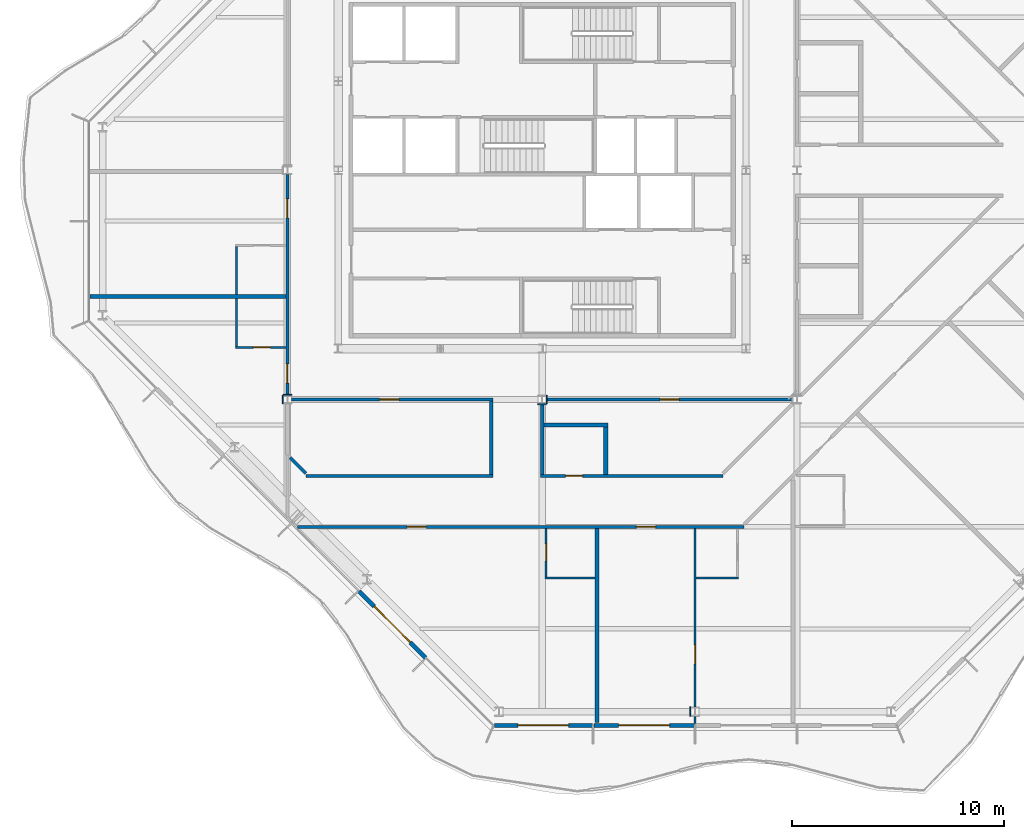
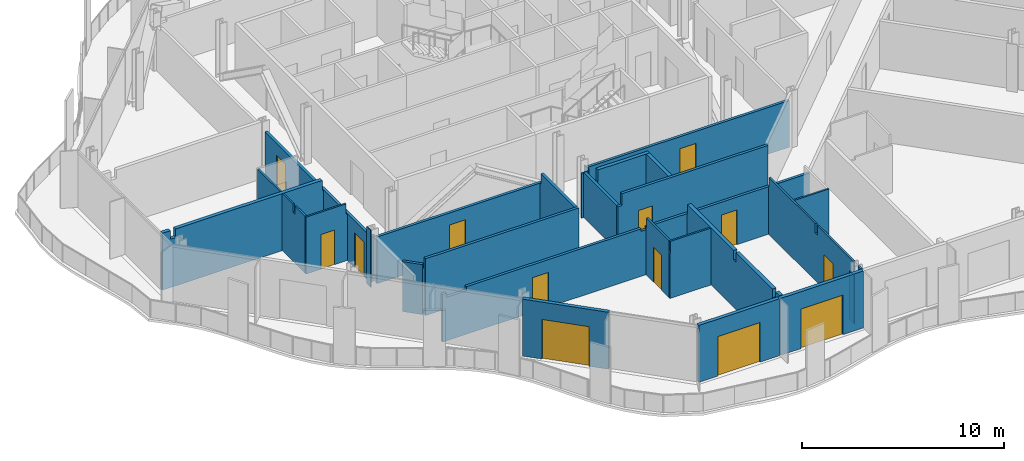
# One storey, part 7 of 17: 29 walls, 13 doors, 13 openings.
"""IFC4 building model written with IfcOpenShell, lengths in metres."""

from ifc_helpers import new_model, si_unit, direction, frame, frame_2d, origin, place, context, subcontext, project, spatial, polyline, rectangle, outline, extrude, material, layer, layer_set, type_object, element, fill, save


model = new_model("IFC4")

# Units and contexts
model_context = context("Model", 3, precision=1e-05, world=origin(), true_north=direction((0.0, 1.0)))
body_context = subcontext(model_context, "Body", "Model", "MODEL_VIEW")
ifc_project = project(units=[si_unit("LENGTHUNIT", "METRE"), si_unit("AREAUNIT", "SQUARE_METRE"), si_unit("VOLUMEUNIT", "CUBIC_METRE"), si_unit("PLANEANGLEUNIT", "RADIAN"), si_unit("MASSUNIT", "GRAM", prefix="KILO")], contexts=[model_context])

# Site, building, storey
site_placement = place(None, origin())
site = spatial("IfcSite", under=ifc_project, at=site_placement, CompositionType="ELEMENT")
building_placement = place(site_placement, origin())
building = spatial("IfcBuilding", under=site, at=building_placement, Name="Cairn Pilgrim Tower", CompositionType="ELEMENT")
storey_placement = place(building_placement, frame((0.0, 0.0, 221.39990234375)))
storey = spatial("IfcBuildingStorey", under=building, at=storey_placement, Name="L56", CompositionType="ELEMENT", Elevation=221.39990234375)

# Wall, opening, door
ifc_material_1 = material(Name="Bronze anodised aluminium insulated sandwich panel with mineral wool fill", Category="aluminium")
ifc_layer_1 = layer(ifc_material_1, 0.199951171875)
ifc_layer_set_1 = layer_set([ifc_layer_1], Name="BRONZE INFILL FRAME WALL 200")
wall_type_1 = type_object("IfcWallType", Name="BRONZE INFILL FRAME WALL 200", PredefinedType="NOTDEFINED", material=ifc_layer_set_1)
wall_1_placement = place(storey_placement, frame((4.943603515625, -23.75, 0.0), z_axis=(0.0, 0.0, 1.0), x_axis=(1.0, 0.0, 0.0)))
wall_1 = element("IfcWall", 1, at=wall_1_placement, inside=storey, type_object=wall_type_1, Name="Bronze infill frame wall IW-S1", PredefinedType="NOTDEFINED", context=body_context, shape_type="SweptSolid", body=[
    extrude(rectangle(XDim=4.62646484375, YDim=0.199951171875, at=frame_2d((2.313232421875, 0.0))), origin(), (0.0, 0.0, 1.0), 3.4501953125),
])
opening_1_placement = place(wall_1_placement, frame((1.1083984375, 0.0, 0.0)))
opening_1 = element("IfcOpeningElement", 2, at=opening_1_placement, cuts=wall_1, Name="Opening 5613B2", PredefinedType="OPENING", context=body_context, shape_type="SweptSolid", body=[
    extrude(rectangle(XDim=2.39990234375, YDim=2.39990234375, at=frame_2d((1.199951171875, 1.199951171875))), frame((0.0, 0.10986328125, 0.0), z_axis=(0.0, -1.0, 0.0), x_axis=(1.0, 0.0, 0.0)), (0.0, 0.0, 1.0), 0.219970703125),
])
ifc_material_2 = material(Name="Bronze anodised aluminium frame with tinted low-E glass", Category="aluminium")
door_type_1 = type_object("IfcDoorType", Name="BALCONY SLIDING DOOR 2400x2400", OperationType="DOUBLE_DOOR_SLIDING", PredefinedType="DOOR", material=ifc_material_2)
door_1_placement = place(opening_1_placement, origin())
door_1 = element("IfcDoor", 3, at=door_1_placement, inside=storey, type_object=door_type_1, Name="Balcony sliding door 5613B2", OperationType="SINGLE_SWING_LEFT", OverallHeight=2.39990234375, OverallWidth=2.39990234375, PredefinedType="DOOR", context=body_context, shape_type="SweptSolid", body=[
    extrude(rectangle(XDim=2.39990234375, YDim=2.39990234375, at=frame_2d((1.199951171875, 1.199951171875))), frame((0.0, 0.02490234375, 0.0), z_axis=(0.0, -1.0, 0.0), x_axis=(1.0, 0.0, 0.0)), (0.0, 0.0, 1.0), 0.050048828125),
])
fill(opening_1, door_1)

wall_2_placement = place(storey_placement, frame((9.6298828125, -23.75, 0.0), z_axis=(0.0, 0.0, 1.0), x_axis=(1.0, 0.0, 0.0)))
wall_2 = element("IfcWall", 4, at=wall_2_placement, inside=storey, type_object=wall_type_1, Name="Bronze infill frame wall IW-S2", PredefinedType="NOTDEFINED", context=body_context, shape_type="SweptSolid", body=[
    extrude(rectangle(XDim=4.740234375, YDim=0.199951171875, at=frame_2d((2.3701171875, 0.0))), origin(), (0.0, 0.0, 1.0), 3.4501953125),
])
opening_2_placement = place(wall_2_placement, frame((1.17041015625, 0.0, 0.0)))
opening_2 = element("IfcOpeningElement", 5, at=opening_2_placement, cuts=wall_2, Name="Opening 5614B", PredefinedType="OPENING", context=body_context, shape_type="SweptSolid", body=[
    extrude(rectangle(XDim=2.39990234375, YDim=2.39990234375, at=frame_2d((1.199951171875, 1.199951171875))), frame((0.0, 0.10986328125, 0.0), z_axis=(0.0, -1.0, 0.0), x_axis=(1.0, 0.0, 0.0)), (0.0, 0.0, 1.0), 0.219970703125),
])
door_2_placement = place(opening_2_placement, origin())
door_2 = element("IfcDoor", 6, at=door_2_placement, inside=storey, type_object=door_type_1, Name="Balcony sliding door 5614B", OperationType="SINGLE_SWING_LEFT", OverallHeight=2.39990234375, OverallWidth=2.39990234375, PredefinedType="DOOR", context=body_context, shape_type="SweptSolid", body=[
    extrude(rectangle(XDim=2.39990234375, YDim=2.39990234375, at=frame_2d((1.199951171875, 1.199951171875))), frame((0.0, 0.02490234375, 0.0), z_axis=(0.0, -1.0, 0.0), x_axis=(1.0, 0.0, 0.0)), (0.0, 0.0, 1.0), 0.050048828125),
])
fill(opening_2, door_2)

wall_3_placement = place(storey_placement, frame((-1.426513671875, -17.419921875, 0.0), z_axis=(0.0, 0.0, 1.0), x_axis=(0.707106781187, -0.707106781187, 0.0)))
wall_3 = element("IfcWall", 7, at=wall_3_placement, inside=storey, type_object=wall_type_1, Name="Bronze infill frame wall IW-SW5", PredefinedType="NOTDEFINED", context=body_context, shape_type="SweptSolid", body=[
    extrude(rectangle(XDim=4.43115234375, YDim=0.199951171875, at=frame_2d((2.215576171875, 0.0))), origin(), (0.0, 0.0, 1.0), 3.4501953125),
])
opening_3_placement = place(wall_3_placement, frame((1.01513671875, 0.0, 0.0)))
opening_3 = element("IfcOpeningElement", 8, at=opening_3_placement, cuts=wall_3, Name="Opening 5613B", PredefinedType="OPENING", context=body_context, shape_type="SweptSolid", body=[
    extrude(rectangle(XDim=2.39990234375, YDim=2.39990234375, at=frame_2d((1.199951171875, 1.199951171875))), frame((0.0, 0.10986328125, 0.0), z_axis=(0.0, -1.0, 0.0), x_axis=(1.0, 0.0, 0.0)), (0.0, 0.0, 1.0), 0.219970703125),
])
door_3_placement = place(opening_3_placement, origin())
door_3 = element("IfcDoor", 9, at=door_3_placement, inside=storey, type_object=door_type_1, Name="Balcony sliding door 5613B", OperationType="SINGLE_SWING_LEFT", OverallHeight=2.39990234375, OverallWidth=2.39990234375, PredefinedType="DOOR", context=body_context, shape_type="SweptSolid", body=[
    extrude(rectangle(XDim=2.39990234375, YDim=2.39990234375, at=frame_2d((1.199951171875, 1.199951171875))), frame((0.0, 0.02490234375, 0.0), z_axis=(0.0, -1.0, 0.0), x_axis=(1.0, 0.0, 0.0)), (0.0, 0.0, 1.0), 0.050048828125),
])
fill(opening_3, door_3)

# Wall
ifc_material_3 = material(Name="Gypsum partition")
ifc_layer_2 = layer(ifc_material_3, 0.10009765625)
ifc_layer_set_2 = layer_set([ifc_layer_2], Name="PARTITION 100 DRYWALL")
wall_type_2 = type_object("IfcWallType", Name="PARTITION 100 DRYWALL", PredefinedType="PARTITIONING", material=ifc_layer_set_2)
wall_4_placement = place(storey_placement, frame((14.39990234375, -23.64990234375, 0.0), z_axis=(0.0, 0.0, 1.0), x_axis=(0.0, 1.0, 0.0)))
element("IfcWall", 10, at=wall_4_placement, inside=storey, type_object=wall_type_2, Name="PARTITION W001", PredefinedType="PARTITIONING", context=body_context, shape_type="SweptSolid", body=[
    extrude(rectangle(XDim=0.326904296875, YDim=0.10009765625, at=frame_2d((0.16357421875, 0.0))), origin(), (0.0, 0.0, 1.0), 3.4501953125),
])

# Wall, opening, door
wall_5_placement = place(storey_placement, frame((14.39990234375, -22.876953125, 0.0), z_axis=(0.0, 0.0, 1.0), x_axis=(0.0, 1.0, 0.0)))
wall_5 = element("IfcWall", 11, at=wall_5_placement, inside=storey, type_object=wall_type_2, Name="PARTITION W004", PredefinedType="PARTITIONING", context=body_context, shape_type="SweptSolid", body=[
    extrude(outline(polyline([(0.0, 0.0), (8.40185546875, 0.0), (8.402099609375, 2.880126953125), (8.3720703125, 2.880126953125), (8.3701171875, 3.4501953125), (3.781982421875, 3.4501953125), (3.780029296875, 2.880126953125), (3.572021484375, 2.880126953125), (3.570068359375, 3.4501953125), (0.0, 3.4501953125), (0.0, 0.0)])), frame((0.0, 0.050048828125, 0.0), z_axis=(0.0, -1.0, 0.0), x_axis=(1.0, 0.0, 0.0)), (0.0, 0.0, 1.0), 0.10009765625),
])
opening_4_placement = place(wall_5_placement, frame((2.027099609375, 0.0, 0.0)))
opening_4 = element("IfcOpeningElement", 12, at=opening_4_placement, cuts=wall_5, Name="Opening 5614C", PredefinedType="OPENING", context=body_context, shape_type="SweptSolid", body=[
    extrude(rectangle(XDim=0.89990234375, YDim=2.10009765625, at=frame_2d((0.449951171875, 1.050048828125))), frame((0.0, 0.06005859375, 0.0), z_axis=(0.0, -1.0, 0.0), x_axis=(1.0, 0.0, 0.0)), (0.0, 0.0, 1.0), 0.1201171875),
])
ifc_material_4 = material(Name="Timber door leaf", Category="wood")
door_type_2 = type_object("IfcDoorType", Name="SERVICE DOOR 900x2100", OperationType="NOTDEFINED", PredefinedType="DOOR", material=ifc_material_4)
door_4_placement = place(opening_4_placement, origin())
door_4 = element("IfcDoor", 13, at=door_4_placement, inside=storey, type_object=door_type_2, Name="DOOR 5614C", OperationType="SINGLE_SWING_RIGHT", OverallHeight=2.10009765625, OverallWidth=0.89990234375, PredefinedType="DOOR", context=body_context, shape_type="SweptSolid", body=[
    extrude(rectangle(XDim=0.89990234375, YDim=2.10009765625, at=frame_2d((0.449951171875, 1.050048828125))), frame((0.0, 0.02490234375, 0.0), z_axis=(0.0, -1.0, 0.0), x_axis=(1.0, 0.0, 0.0)), (0.0, 0.0, 1.0), 0.050048828125),
])
fill(opening_4, door_4)

# Wall
wall_6_placement = place(storey_placement, frame((7.3359375, -16.800048828125, 0.0), z_axis=(0.0, 0.0, 1.0), x_axis=(1.0, 0.0, 0.0)))
element("IfcWall", 14, at=wall_6_placement, inside=storey, type_object=wall_type_2, Name="PARTITION W006", PredefinedType="PARTITIONING", context=body_context, shape_type="SweptSolid", body=[
    extrude(outline(polyline([(0.0, 0.0), (2.35009765625, 0.0), (2.35009765625, 3.4501953125), (0.013916015625, 3.4501953125), (0.011962890625, 2.72998046875), (0.0, 2.72998046875), (0.0, 0.0)])), frame((0.0, 0.050048828125, 0.0), z_axis=(0.0, -1.0, 0.0), x_axis=(1.0, 0.0, 0.0)), (0.0, 0.0, 1.0), 0.10009765625),
])

# Wall, opening, door
wall_7_placement = place(storey_placement, frame((7.385986328125, -16.75, 0.0), z_axis=(0.0, 0.0, 1.0), x_axis=(0.0, 1.0, 0.0)))
wall_7 = element("IfcWall", 15, at=wall_7_placement, inside=storey, type_object=wall_type_2, Name="PARTITION W007", PredefinedType="PARTITIONING", context=body_context, shape_type="SweptSolid", body=[
    extrude(outline(polyline([(0.0, 0.0), (2.27490234375, 0.0), (2.27490234375, 2.880126953125), (2.2451171875, 2.880126953125), (2.242919921875, 3.4501953125), (0.0, 3.4501953125), (0.0, 0.0)])), frame((0.0, 0.050048828125, 0.0), z_axis=(0.0, -1.0, 0.0), x_axis=(1.0, 0.0, 0.0)), (0.0, 0.0, 1.0), 0.10009765625),
])
opening_5_placement = place(wall_7_placement, frame((0.75, 0.0, 0.0)))
opening_5 = element("IfcOpeningElement", 16, at=opening_5_placement, cuts=wall_7, Name="Opening 5613A", PredefinedType="OPENING", context=body_context, shape_type="SweptSolid", body=[
    extrude(rectangle(XDim=0.800048828125, YDim=2.10009765625, at=frame_2d((0.39990234375, 1.050048828125))), frame((0.0, 0.06005859375, 0.0), z_axis=(0.0, -1.0, 0.0), x_axis=(1.0, 0.0, 0.0)), (0.0, 0.0, 1.0), 0.1201171875),
])
door_type_3 = type_object("IfcDoorType", Name="WC DOOR 800x2100", OperationType="NOTDEFINED", PredefinedType="DOOR", material=ifc_material_4)
door_5_placement = place(opening_5_placement, origin())
door_5 = element("IfcDoor", 17, at=door_5_placement, inside=storey, type_object=door_type_3, Name="DOOR 5613A", OperationType="SINGLE_SWING_RIGHT", OverallHeight=2.10009765625, OverallWidth=0.800048828125, PredefinedType="DOOR", context=body_context, shape_type="SweptSolid", body=[
    extrude(rectangle(XDim=0.800048828125, YDim=2.10009765625, at=frame_2d((0.39990234375, 1.050048828125))), frame((0.0, 0.02490234375, 0.0), z_axis=(0.0, -1.0, 0.0), x_axis=(1.0, 0.0, 0.0)), (0.0, 0.0, 1.0), 0.050048828125),
])
fill(opening_5, door_5)

# Wall
wall_8_placement = place(storey_placement, frame((14.449951171875, -16.800048828125, 0.0), z_axis=(0.0, 0.0, 1.0), x_axis=(1.0, 0.0, 0.0)))
element("IfcWall", 18, at=wall_8_placement, inside=storey, type_object=wall_type_2, Name="PARTITION W008", PredefinedType="PARTITIONING", context=body_context, shape_type="SweptSolid", body=[
    extrude(rectangle(XDim=2.0, YDim=0.10009765625, at=frame_2d((1.0, 0.0))), origin(), (0.0, 0.0, 1.0), 3.4501953125),
])

# Wall, opening, door
wall_9_placement = place(storey_placement, frame((-7.25, -5.944091796875, 0.0), z_axis=(0.0, 0.0, 1.0), x_axis=(1.0, 0.0, 0.0)))
wall_9 = element("IfcWall", 19, at=wall_9_placement, inside=storey, type_object=wall_type_2, Name="PARTITION W036", PredefinedType="PARTITIONING", context=body_context, shape_type="SweptSolid", body=[
    extrude(outline(polyline([(0.0, 0.0), (2.375, 0.0), (2.375, 2.830078125), (2.300048828125, 2.830078125), (2.298095703125, 3.4501953125), (0.0, 3.4501953125), (0.0, 0.0)])), frame((0.0, 0.050048828125, 0.0), z_axis=(0.0, -1.0, 0.0), x_axis=(1.0, 0.0, 0.0)), (0.0, 0.0, 1.0), 0.10009765625),
])
opening_6_placement = place(wall_9_placement, frame((0.85009765625, 0.0, 0.0)))
opening_6 = element("IfcOpeningElement", 20, at=opening_6_placement, cuts=wall_9, Name="Opening 5612A", PredefinedType="OPENING", context=body_context, shape_type="SweptSolid", body=[
    extrude(rectangle(XDim=0.800048828125, YDim=2.10009765625, at=frame_2d((0.39990234375, 1.050048828125))), frame((0.0, 0.06005859375, 0.0), z_axis=(0.0, -1.0, 0.0), x_axis=(1.0, 0.0, 0.0)), (0.0, 0.0, 1.0), 0.1201171875),
])
door_6_placement = place(opening_6_placement, frame((0.800048828125, 0.0, 0.0), z_axis=(0.0, 0.0, 1.0), x_axis=(-1.0, 0.0, 0.0)))
door_6 = element("IfcDoor", 21, at=door_6_placement, inside=storey, type_object=door_type_3, Name="DOOR 5612A", OperationType="SINGLE_SWING_RIGHT", OverallHeight=2.10009765625, OverallWidth=0.800048828125, PredefinedType="DOOR", context=body_context, shape_type="SweptSolid", body=[
    extrude(rectangle(XDim=0.800048828125, YDim=2.10009765625, at=frame_2d((0.39990234375, 1.050048828125))), frame((0.0, 0.02490234375, 0.0), z_axis=(0.0, -1.0, 0.0), x_axis=(1.0, 0.0, 0.0)), (0.0, 0.0, 1.0), 0.050048828125),
])
fill(opening_6, door_6)

# Walls
wall_10_placement = place(storey_placement, frame((-7.199951171875, -5.89404296875, 0.0), z_axis=(0.0, 0.0, 1.0), x_axis=(0.0, 1.0, 0.0)))
element("IfcWall", 22, at=wall_10_placement, inside=storey, type_object=wall_type_2, Name="PARTITION W037", PredefinedType="PARTITIONING", context=body_context, shape_type="SweptSolid", body=[
    extrude(outline(polyline([(0.0, 0.0), (2.25, 0.0), (2.25, 3.4501953125), (1.18896484375, 3.4501953125), (1.18701171875, 2.97998046875), (0.9990234375, 2.97998046875), (0.9970703125, 3.4501953125), (0.0, 3.4501953125), (0.0, 0.0)])), frame((0.0, 0.050048828125, 0.0), z_axis=(0.0, -1.0, 0.0), x_axis=(1.0, 0.0, 0.0)), (0.0, 0.0, 1.0), 0.10009765625),
])
wall_11_placement = place(storey_placement, frame((-7.199951171875, -3.444091796875, 0.0), z_axis=(0.0, 0.0, 1.0), x_axis=(0.0, 1.0, 0.0)))
element("IfcWall", 23, at=wall_11_placement, inside=storey, type_object=wall_type_2, Name="PARTITION W041", PredefinedType="PARTITIONING", context=body_context, shape_type="SweptSolid", body=[
    extrude(rectangle(XDim=2.25, YDim=0.10009765625, at=frame_2d((1.125, 0.0))), origin(), (0.0, 0.0, 1.0), 3.4501953125),
])

# Wall, openings, doors
ifc_layer_3 = layer(ifc_material_3, 0.14990234375)
ifc_layer_set_3 = layer_set([ifc_layer_3], Name="PARTITION 150 DRYWALL EI 60")
wall_type_3 = type_object("IfcWallType", Name="PARTITION 150 DRYWALL EI 60", PredefinedType="PARTITIONING", material=ifc_layer_set_3)
wall_12_placement = place(storey_placement, frame((-4.326171875, -14.39990234375, 0.0), z_axis=(0.0, 0.0, 1.0), x_axis=(1.0, 0.0, 0.0)))
wall_12 = element("IfcWall", 24, at=wall_12_placement, inside=storey, type_object=wall_type_3, Name="PARTITION W011", PredefinedType="PARTITIONING", context=body_context, shape_type="SweptSolid", body=[
    extrude(outline(polyline([(0.0, 0.0), (21.0263671875, 0.0), (21.026123046875, 2.880126953125), (11.676025390625, 2.880126953125), (11.674072265625, 2.72998046875), (11.376220703125, 2.72998046875), (11.3740234375, 2.880126953125), (1.368896484375, 2.880126953125), (1.366943359375, 2.630126953125), (0.22900390625, 2.630126953125), (0.226806640625, 2.880126953125), (0.0, 2.880126953125), (0.0, 0.0)])), frame((0.0, 0.074951171875, 0.0), z_axis=(0.0, -1.0, 0.0), x_axis=(1.0, 0.0, 0.0)), (0.0, 0.0, 1.0), 0.14990234375),
])
opening_7_placement = place(wall_12_placement, frame((5.169189453125, 0.0, 0.0)))
opening_7 = element("IfcOpeningElement", 25, at=opening_7_placement, cuts=wall_12, Name="Opening 5613", PredefinedType="OPENING", context=body_context, shape_type="SweptSolid", body=[
    extrude(rectangle(XDim=0.89990234375, YDim=2.10009765625, at=frame_2d((0.449951171875, 1.050048828125))), frame((0.0, 0.0849609375, 0.0), z_axis=(0.0, -1.0, 0.0), x_axis=(1.0, 0.0, 0.0)), (0.0, 0.0, 1.0), 0.169921875),
])
opening_8_placement = place(wall_12_placement, frame((15.968994140625, 0.0, 0.0)))
opening_8 = element("IfcOpeningElement", 26, at=opening_8_placement, cuts=wall_12, Name="Opening 5614", PredefinedType="OPENING", context=body_context, shape_type="SweptSolid", body=[
    extrude(rectangle(XDim=0.89990234375, YDim=2.10009765625, at=frame_2d((0.449951171875, 1.050048828125))), frame((0.0, 0.0849609375, 0.0), z_axis=(0.0, -1.0, 0.0), x_axis=(1.0, 0.0, 0.0)), (0.0, 0.0, 1.0), 0.169921875),
])
door_type_4 = type_object("IfcDoorType", Name="ROOM DOOR 900x2100 FD30S", OperationType="NOTDEFINED", PredefinedType="DOOR", material=ifc_material_4)
door_7_placement = place(opening_7_placement, frame((0.89990234375, 0.0, 0.0), z_axis=(0.0, 0.0, 1.0), x_axis=(-1.0, 0.0, 0.0)))
door_7 = element("IfcDoor", 27, at=door_7_placement, inside=storey, type_object=door_type_4, Name="DOOR 5613", OperationType="SINGLE_SWING_RIGHT", OverallHeight=2.10009765625, OverallWidth=0.89990234375, PredefinedType="DOOR", context=body_context, shape_type="SweptSolid", body=[
    extrude(rectangle(XDim=0.89990234375, YDim=2.10009765625, at=frame_2d((0.449951171875, 1.050048828125))), frame((0.0, 0.02490234375, 0.0), z_axis=(0.0, -1.0, 0.0), x_axis=(1.0, 0.0, 0.0)), (0.0, 0.0, 1.0), 0.050048828125),
])
fill(opening_7, door_7)
door_8_placement = place(opening_8_placement, frame((0.89990234375, 0.0, 0.0), z_axis=(0.0, 0.0, 1.0), x_axis=(-1.0, 0.0, 0.0)))
door_8 = element("IfcDoor", 28, at=door_8_placement, inside=storey, type_object=door_type_4, Name="DOOR 5614", OperationType="SINGLE_SWING_RIGHT", OverallHeight=2.10009765625, OverallWidth=0.89990234375, PredefinedType="DOOR", context=body_context, shape_type="SweptSolid", body=[
    extrude(rectangle(XDim=0.89990234375, YDim=2.10009765625, at=frame_2d((0.449951171875, 1.050048828125))), frame((0.0, 0.02490234375, 0.0), z_axis=(0.0, -1.0, 0.0), x_axis=(1.0, 0.0, 0.0)), (0.0, 0.0, 1.0), 0.050048828125),
])
fill(opening_8, door_8)

# Wall
wall_13_placement = place(storey_placement, frame((-3.912109375, -12.0, 0.0), z_axis=(0.0, 0.0, 1.0), x_axis=(1.0, 0.0, 0.0)))
element("IfcWall", 29, at=wall_13_placement, inside=storey, type_object=wall_type_3, Name="PARTITION W017", PredefinedType="PARTITIONING", context=body_context, shape_type="SweptSolid", body=[
    extrude(rectangle(XDim=8.787109375, YDim=0.14990234375, at=frame_2d((4.3935546875, 0.0))), origin(), (0.0, 0.0, 1.0), 3.4501953125),
])

# Wall, opening, door
wall_14_placement = place(storey_placement, frame((7.125, -12.0, 0.0), z_axis=(0.0, 0.0, 1.0), x_axis=(1.0, 0.0, 0.0)))
wall_14 = element("IfcWall", 30, at=wall_14_placement, inside=storey, type_object=wall_type_3, Name="PARTITION W018", PredefinedType="PARTITIONING", context=body_context, shape_type="SweptSolid", body=[
    extrude(outline(polyline([(0.0, 0.0), (8.5810546875, 0.0), (8.5810546875, 3.4501953125), (0.22509765625, 3.4501953125), (0.222900390625, 2.72998046875), (0.0, 2.72998046875), (0.0, 0.0)])), frame((0.0, 0.074951171875, 0.0), z_axis=(0.0, -1.0, 0.0), x_axis=(1.0, 0.0, 0.0)), (0.0, 0.0, 1.0), 0.14990234375),
])
opening_9_placement = place(wall_14_placement, frame((1.175048828125, 0.0, 0.0)))
opening_9 = element("IfcOpeningElement", 31, at=opening_9_placement, cuts=wall_14, Name="Opening 5618", PredefinedType="OPENING", context=body_context, shape_type="SweptSolid", body=[
    extrude(rectangle(XDim=0.800048828125, YDim=2.10009765625, at=frame_2d((0.39990234375, 1.050048828125))), frame((0.0, 0.0849609375, 0.0), z_axis=(0.0, -1.0, 0.0), x_axis=(1.0, 0.0, 0.0)), (0.0, 0.0, 1.0), 0.169921875),
])
door_type_5 = type_object("IfcDoorType", Name="WC DOOR 800x2100 FD30S", OperationType="NOTDEFINED", PredefinedType="DOOR", material=ifc_material_4)
door_9_placement = place(opening_9_placement, origin())
door_9 = element("IfcDoor", 32, at=door_9_placement, inside=storey, type_object=door_type_5, Name="DOOR 5618", OperationType="SINGLE_SWING_RIGHT", OverallHeight=2.10009765625, OverallWidth=0.800048828125, PredefinedType="DOOR", context=body_context, shape_type="SweptSolid", body=[
    extrude(rectangle(XDim=0.800048828125, YDim=2.10009765625, at=frame_2d((0.39990234375, 1.050048828125))), frame((0.0, 0.02490234375, 0.0), z_axis=(0.0, -1.0, 0.0), x_axis=(1.0, 0.0, 0.0)), (0.0, 0.0, 1.0), 0.050048828125),
])
fill(opening_9, door_9)

# Walls
wall_15_placement = place(storey_placement, frame((-3.93408203125, -11.8720703125, 0.0), z_axis=(0.0, 0.0, 1.0), x_axis=(-0.707106781187, 0.707106781187, 0.0)))
element("IfcWall", 33, at=wall_15_placement, inside=storey, type_object=wall_type_3, Name="PARTITION W020", PredefinedType="PARTITIONING", context=body_context, shape_type="SweptSolid", body=[
    extrude(rectangle(XDim=1.043701171875, YDim=0.14990234375, at=frame_2d((0.52197265625, 0.0))), origin(), (0.0, 0.0, 1.0), 3.030029296875),
])
wall_16_placement = place(storey_placement, frame((4.800048828125, -11.925048828125, 0.0), z_axis=(0.0, 0.0, 1.0), x_axis=(0.0, 1.0, 0.0)))
element("IfcWall", 34, at=wall_16_placement, inside=storey, type_object=wall_type_3, Name="PARTITION W021", PredefinedType="PARTITIONING", context=body_context, shape_type="SweptSolid", body=[
    extrude(outline(polyline([(0.0, 0.0), (3.449951171875, 0.0), (3.449951171875, 2.830078125), (3.375, 2.830078125), (3.373046875, 3.4501953125), (0.0, 3.4501953125), (0.0, 0.0)])), frame((0.0, 0.074951171875, 0.0), z_axis=(0.0, -1.0, 0.0), x_axis=(1.0, 0.0, 0.0)), (0.0, 0.0, 1.0), 0.14990234375),
])
wall_17_placement = place(storey_placement, frame((7.199951171875, -11.925048828125, 0.0), z_axis=(0.0, 0.0, 1.0), x_axis=(0.0, 1.0, 0.0)))
element("IfcWall", 35, at=wall_17_placement, inside=storey, type_object=wall_type_3, Name="PARTITION W022", PredefinedType="PARTITIONING", context=body_context, shape_type="SweptSolid", body=[
    extrude(rectangle(XDim=3.32861328125, YDim=0.14990234375, at=frame_2d((1.664306640625, 0.0))), origin(), (0.0, 0.0, 1.0), 2.72998046875),
])

# Wall, opening, door
wall_18_placement = place(storey_placement, frame((-4.6005859375, -8.39990234375, 0.0), z_axis=(0.0, 0.0, 1.0), x_axis=(1.0, 0.0, 0.0)))
wall_18 = element("IfcWall", 36, at=wall_18_placement, inside=storey, type_object=wall_type_3, Name="PARTITION W030", PredefinedType="PARTITIONING", context=body_context, shape_type="SweptSolid", body=[
    extrude(rectangle(XDim=9.4755859375, YDim=0.14990234375, at=frame_2d((4.73779296875, 0.0))), origin(), (0.0, 0.0, 1.0), 2.830078125),
])
opening_10_placement = place(wall_18_placement, frame((4.150390625, 0.0, 0.0)))
opening_10 = element("IfcOpeningElement", 37, at=opening_10_placement, cuts=wall_18, Name="Opening 5622", PredefinedType="OPENING", context=body_context, shape_type="SweptSolid", body=[
    extrude(rectangle(XDim=0.89990234375, YDim=2.10009765625, at=frame_2d((0.449951171875, 1.050048828125))), frame((0.0, 0.0849609375, 0.0), z_axis=(0.0, -1.0, 0.0), x_axis=(1.0, 0.0, 0.0)), (0.0, 0.0, 1.0), 0.169921875),
])
door_type_6 = type_object("IfcDoorType", Name="SERVICE DOOR 900x2100 FD30S", OperationType="NOTDEFINED", PredefinedType="DOOR", material=ifc_material_4)
door_10_placement = place(opening_10_placement, frame((0.89990234375, 0.0, 0.0), z_axis=(0.0, 0.0, 1.0), x_axis=(-1.0, 0.0, 0.0)))
door_10 = element("IfcDoor", 38, at=door_10_placement, inside=storey, type_object=door_type_6, Name="DOOR 5622", OperationType="SINGLE_SWING_LEFT", OverallHeight=2.10009765625, OverallWidth=0.89990234375, PredefinedType="DOOR", context=body_context, shape_type="SweptSolid", body=[
    extrude(rectangle(XDim=0.89990234375, YDim=2.10009765625, at=frame_2d((0.449951171875, 1.050048828125))), frame((0.0, 0.02490234375, 0.0), z_axis=(0.0, -1.0, 0.0), x_axis=(1.0, 0.0, 0.0)), (0.0, 0.0, 1.0), 0.050048828125),
])
fill(opening_10, door_10)

wall_19_placement = place(storey_placement, frame((7.3994140625, -8.39990234375, 0.0), z_axis=(0.0, 0.0, 1.0), x_axis=(1.0, 0.0, 0.0)))
wall_19 = element("IfcWall", 39, at=wall_19_placement, inside=storey, type_object=wall_type_3, Name="PARTITION W031", PredefinedType="PARTITIONING", context=body_context, shape_type="SweptSolid", body=[
    extrude(rectangle(XDim=11.60107421875, YDim=0.14990234375, at=frame_2d((5.800537109375, 0.0))), origin(), (0.0, 0.0, 1.0), 2.830078125),
])
opening_11_placement = place(wall_19_placement, frame((5.3505859375, 0.0, 0.0)))
opening_11 = element("IfcOpeningElement", 40, at=opening_11_placement, cuts=wall_19, Name="Opening 5623", PredefinedType="OPENING", context=body_context, shape_type="SweptSolid", body=[
    extrude(rectangle(XDim=0.89990234375, YDim=2.10009765625, at=frame_2d((0.449951171875, 1.050048828125))), frame((0.0, 0.0849609375, 0.0), z_axis=(0.0, -1.0, 0.0), x_axis=(1.0, 0.0, 0.0)), (0.0, 0.0, 1.0), 0.169921875),
])
door_11_placement = place(opening_11_placement, frame((0.89990234375, 0.0, 0.0), z_axis=(0.0, 0.0, 1.0), x_axis=(-1.0, 0.0, 0.0)))
door_11 = element("IfcDoor", 41, at=door_11_placement, inside=storey, type_object=door_type_6, Name="DOOR 5623", OperationType="SINGLE_SWING_LEFT", OverallHeight=2.10009765625, OverallWidth=0.89990234375, PredefinedType="DOOR", context=body_context, shape_type="SweptSolid", body=[
    extrude(rectangle(XDim=0.89990234375, YDim=2.10009765625, at=frame_2d((0.449951171875, 1.050048828125))), frame((0.0, 0.02490234375, 0.0), z_axis=(0.0, -1.0, 0.0), x_axis=(1.0, 0.0, 0.0)), (0.0, 0.0, 1.0), 0.050048828125),
])
fill(opening_11, door_11)

# Wall, openings, doors
wall_20_placement = place(storey_placement, frame((-4.800048828125, -8.20361328125, 0.0), z_axis=(0.0, 0.0, 1.0), x_axis=(0.0, 1.0, 0.0)))
wall_20 = element("IfcWall", 42, at=wall_20_placement, inside=storey, type_object=wall_type_3, Name="PARTITION W032", PredefinedType="PARTITIONING", context=body_context, shape_type="SweptSolid", body=[
    extrude(rectangle(XDim=10.4072265625, YDim=0.14990234375, at=frame_2d((5.20361328125, 0.0))), origin(), (0.0, 0.0, 1.0), 2.830078125),
])
opening_12_placement = place(wall_20_placement, frame((8.353515625, 0.0, 0.0)))
opening_12 = element("IfcOpeningElement", 43, at=opening_12_placement, cuts=wall_20, Name="Opening 5611", PredefinedType="OPENING", context=body_context, shape_type="SweptSolid", body=[
    extrude(rectangle(XDim=0.89990234375, YDim=2.10009765625, at=frame_2d((0.449951171875, 1.050048828125))), frame((0.0, 0.0849609375, 0.0), z_axis=(0.0, -1.0, 0.0), x_axis=(1.0, 0.0, 0.0)), (0.0, 0.0, 1.0), 0.169921875),
])
opening_13_placement = place(wall_20_placement, frame((0.58154296875, 0.0, 0.0)))
opening_13 = element("IfcOpeningElement", 44, at=opening_13_placement, cuts=wall_20, Name="Opening 5612", PredefinedType="OPENING", context=body_context, shape_type="SweptSolid", body=[
    extrude(rectangle(XDim=0.89990234375, YDim=2.10009765625, at=frame_2d((0.449951171875, 1.050048828125))), frame((0.0, 0.0849609375, 0.0), z_axis=(0.0, -1.0, 0.0), x_axis=(1.0, 0.0, 0.0)), (0.0, 0.0, 1.0), 0.169921875),
])
door_12_placement = place(opening_12_placement, origin())
door_12 = element("IfcDoor", 45, at=door_12_placement, inside=storey, type_object=door_type_4, Name="DOOR 5611", OperationType="SINGLE_SWING_RIGHT", OverallHeight=2.10009765625, OverallWidth=0.89990234375, PredefinedType="DOOR", context=body_context, shape_type="SweptSolid", body=[
    extrude(rectangle(XDim=0.89990234375, YDim=2.10009765625, at=frame_2d((0.449951171875, 1.050048828125))), frame((0.0, 0.02490234375, 0.0), z_axis=(0.0, -1.0, 0.0), x_axis=(1.0, 0.0, 0.0)), (0.0, 0.0, 1.0), 0.050048828125),
])
fill(opening_12, door_12)
door_13_placement = place(opening_13_placement, origin())
door_13 = element("IfcDoor", 46, at=door_13_placement, inside=storey, type_object=door_type_4, Name="DOOR 5612", OperationType="SINGLE_SWING_RIGHT", OverallHeight=2.10009765625, OverallWidth=0.89990234375, PredefinedType="DOOR", context=body_context, shape_type="SweptSolid", body=[
    extrude(rectangle(XDim=0.89990234375, YDim=2.10009765625, at=frame_2d((0.449951171875, 1.050048828125))), frame((0.0, 0.02490234375, 0.0), z_axis=(0.0, -1.0, 0.0), x_axis=(1.0, 0.0, 0.0)), (0.0, 0.0, 1.0), 0.050048828125),
])
fill(opening_13, door_13)

# Walls
ifc_layer_4 = layer(ifc_material_3, 0.050048828125)
ifc_layer_set_4 = layer_set([ifc_layer_4], Name="PARTITION 50 DRYWALL")
wall_type_4 = type_object("IfcWallType", Name="PARTITION 50 DRYWALL", PredefinedType="PARTITIONING", material=ifc_layer_set_4)
wall_21_placement = place(storey_placement, frame((14.1669921875, -23.322998046875, 0.0), z_axis=(0.0, 0.0, 1.0), x_axis=(0.0, 1.0, 0.0)))
element("IfcWall", 47, at=wall_21_placement, inside=storey, type_object=wall_type_4, Name="COLUMN CASING WC01", PredefinedType="PARTITIONING", context=body_context, shape_type="SweptSolid", body=[
    extrude(rectangle(XDim=0.446044921875, YDim=0.050048828125, at=frame_2d((0.22314453125, 0.0))), origin(), (0.0, 0.0, 1.0), 2.93017578125),
])
ifc_layer_5 = layer(ifc_material_3, 0.050048828125)
ifc_layer_set_5 = layer_set([ifc_layer_5], Name="PARTITION 50 DRYWALL EI 60")
wall_type_5 = type_object("IfcWallType", Name="PARTITION 50 DRYWALL EI 60", PredefinedType="PARTITIONING", material=ifc_layer_set_5)
wall_22_placement = place(storey_placement, frame((7.424560546875, -8.596435546875, 0.0), z_axis=(0.0, 0.0, 1.0), x_axis=(0.0, 1.0, 0.0)))
element("IfcWall", 48, at=wall_22_placement, inside=storey, type_object=wall_type_5, Name="COLUMN CASING WC05", PredefinedType="PARTITIONING", context=body_context, shape_type="SweptSolid", body=[
    extrude(rectangle(XDim=0.392822265625, YDim=0.050048828125, at=frame_2d((0.1962890625, 0.0))), origin(), (0.0, 0.0, 1.0), 2.830078125),
])
wall_23_placement = place(storey_placement, frame((-5.0244140625, -8.596435546875, 0.0), z_axis=(0.0, 0.0, 1.0), x_axis=(0.0, 1.0, 0.0)))
element("IfcWall", 49, at=wall_23_placement, inside=storey, type_object=wall_type_5, Name="COLUMN CASING WC08", PredefinedType="PARTITIONING", context=body_context, shape_type="SweptSolid", body=[
    extrude(rectangle(XDim=0.392822265625, YDim=0.050048828125, at=frame_2d((0.1962890625, 0.0))), origin(), (0.0, 0.0, 1.0), 3.4501953125),
])
wall_24_placement = place(storey_placement, frame((-4.99951171875, -8.178466796875, 0.0), z_axis=(0.0, 0.0, 1.0), x_axis=(1.0, 0.0, 0.0)))
element("IfcWall", 50, at=wall_24_placement, inside=storey, type_object=wall_type_5, Name="COLUMN CASING WC11", PredefinedType="PARTITIONING", context=body_context, shape_type="SweptSolid", body=[
    extrude(rectangle(XDim=0.39892578125, YDim=0.050048828125, at=frame_2d((0.199462890625, 0.0))), origin(), (0.0, 0.0, 1.0), 2.830078125),
])
wall_25_placement = place(storey_placement, frame((7.00048828125, -8.62158203125, 0.0), z_axis=(0.0, 0.0, 1.0), x_axis=(1.0, 0.0, 0.0)))
element("IfcWall", 51, at=wall_25_placement, inside=storey, type_object=wall_type_5, Name="COLUMN CASING WC12", PredefinedType="PARTITIONING", context=body_context, shape_type="SweptSolid", body=[
    extrude(rectangle(XDim=0.39892578125, YDim=0.050048828125, at=frame_2d((0.199462890625, 0.0))), origin(), (0.0, 0.0, 1.0), 2.72998046875),
])
ifc_layer_6 = layer(ifc_material_3, 0.199951171875)
ifc_layer_set_6 = layer_set([ifc_layer_6], Name="SHAFT WALL 200 GYPSUM EI 60")
wall_type_6 = type_object("IfcWallType", Name="SHAFT WALL 200 GYPSUM EI 60", PredefinedType="PARTITIONING", material=ifc_layer_set_6)
wall_26_placement = place(storey_placement, frame((9.785888671875, -23.6201171875, 0.0), z_axis=(0.0, 0.0, 1.0), x_axis=(0.0, 1.0, 0.0)))
element("IfcWall", 52, at=wall_26_placement, inside=storey, type_object=wall_type_6, Name="PARTITION W002", PredefinedType="PARTITIONING", context=body_context, shape_type="SweptSolid", body=[
    extrude(outline(polyline([(0.0, 0.0), (9.14501953125, 0.0), (9.14501953125, 2.880126953125), (9.114990234375, 2.880126953125), (9.113037109375, 3.4501953125), (4.52490234375, 3.4501953125), (4.52294921875, 2.880126953125), (4.31494140625, 2.880126953125), (4.31298828125, 3.4501953125), (0.669921875, 3.4501953125), (0.66796875, 2.93017578125), (0.3701171875, 2.93017578125), (0.367919921875, 3.4501953125), (0.0, 3.4501953125), (0.0, 0.0)])), frame((0.0, 0.10009765625, 0.0), z_axis=(0.0, -1.0, 0.0), x_axis=(1.0, 0.0, 0.0)), (0.0, 0.0, 1.0), 0.199951171875),
])
wall_27_placement = place(storey_placement, frame((10.199951171875, -11.925048828125, 0.0), z_axis=(0.0, 0.0, 1.0), x_axis=(0.0, 1.0, 0.0)))
element("IfcWall", 53, at=wall_27_placement, inside=storey, type_object=wall_type_6, Name="PARTITION W023", PredefinedType="PARTITIONING", context=body_context, shape_type="SweptSolid", body=[
    extrude(rectangle(XDim=2.22509765625, YDim=0.199951171875, at=frame_2d((1.112548828125, 0.0))), origin(), (0.0, 0.0, 1.0), 3.4501953125),
])
wall_28_placement = place(storey_placement, frame((7.27490234375, -9.60009765625, 0.0), z_axis=(0.0, 0.0, 1.0), x_axis=(1.0, 0.0, 0.0)))
element("IfcWall", 54, at=wall_28_placement, inside=storey, type_object=wall_type_6, Name="PARTITION W028", PredefinedType="PARTITIONING", context=body_context, shape_type="SweptSolid", body=[
    extrude(outline(polyline([(0.0, 0.0), (3.025146484375, 0.0), (3.02490234375, 3.4501953125), (0.074951171875, 3.4501953125), (0.072998046875, 2.72998046875), (0.0, 2.72998046875), (0.0, 0.0)])), frame((0.0, 0.10009765625, 0.0), z_axis=(0.0, -1.0, 0.0), x_axis=(1.0, 0.0, 0.0)), (0.0, 0.0, 1.0), 0.199951171875),
])
wall_29_placement = place(storey_placement, frame((-14.10302734375, -3.5439453125, 0.0), z_axis=(0.0, 0.0, 1.0), x_axis=(1.0, 0.0, 0.0)))
element("IfcWall", 55, at=wall_29_placement, inside=storey, type_object=wall_type_6, Name="PARTITION W040", PredefinedType="PARTITIONING", context=body_context, shape_type="SweptSolid", body=[
    extrude(outline(polyline([(0.0, 0.0), (9.22802734375, 0.0), (9.22802734375, 2.830078125), (9.153076171875, 2.830078125), (9.15087890625, 3.4501953125), (0.7529296875, 3.4501953125), (0.7509765625, 2.93017578125), (0.452880859375, 2.93017578125), (0.450927734375, 3.4501953125), (0.0, 3.4501953125), (0.0, 0.0)])), frame((0.0, 0.10009765625, 0.0), z_axis=(0.0, -1.0, 0.0), x_axis=(1.0, 0.0, 0.0)), (0.0, 0.0, 1.0), 0.199951171875),
])

save(model, "model.ifc")
